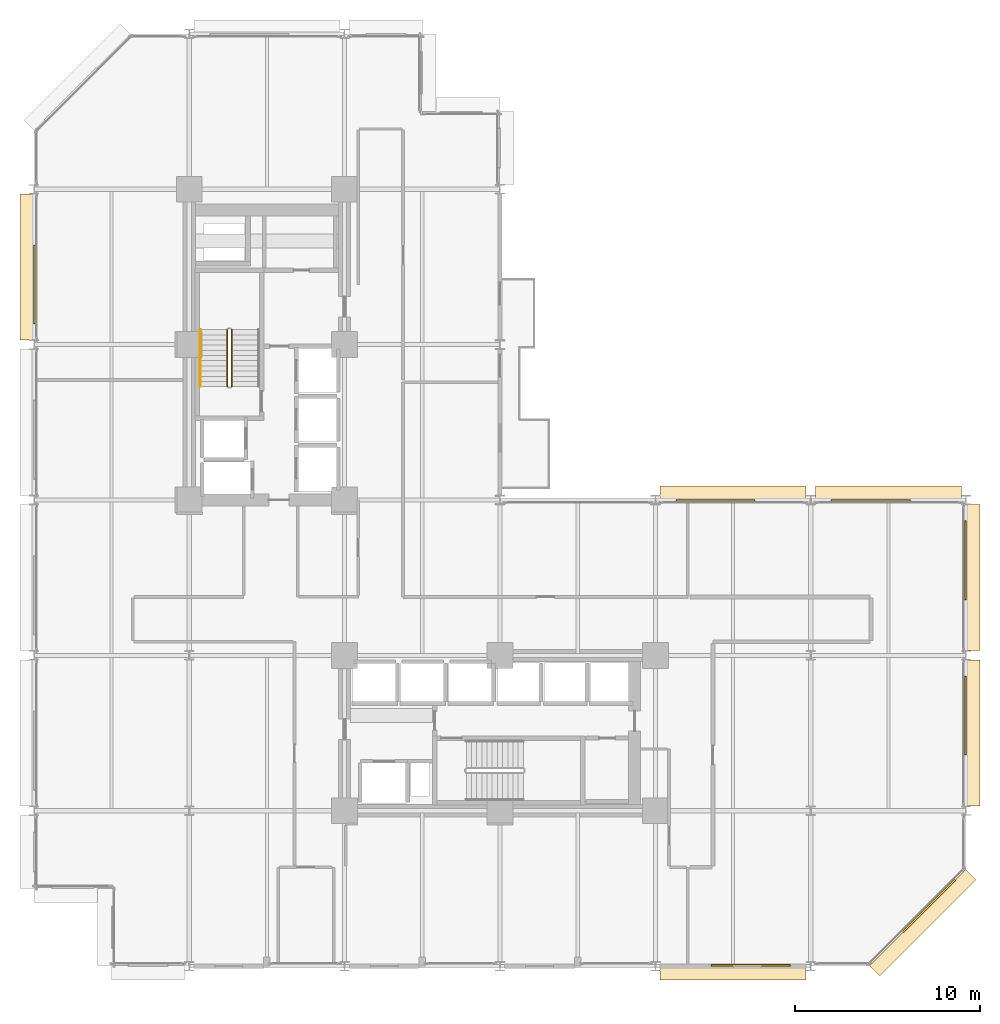
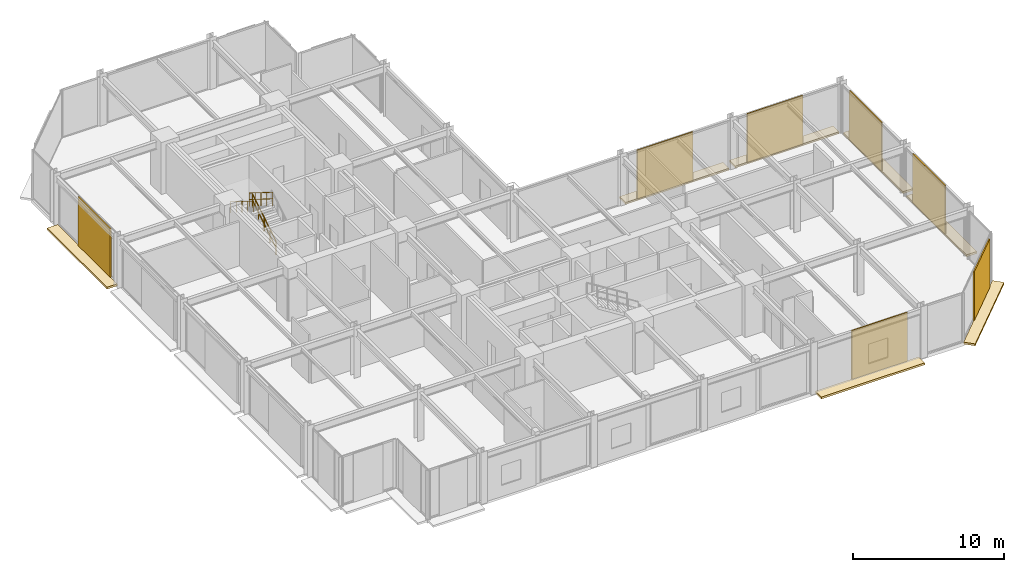
# One storey, part 24 of 25: 14 coverings, 3 railings.
"""IFC4 building model written with IfcOpenShell, lengths in metres."""

from ifc_helpers import new_model, si_unit, direction, frame, origin, origin_2d, place, context, subcontext, project, spatial, polyline, rectangle, circle, outline, extrude, material, layer, layer_set, type_object, element, save


model = new_model("IFC4")

# Units and contexts
model_context = context("Model", 3, precision=1e-05, world=origin(), true_north=direction((0.0, 1.0)))
body_context = subcontext(model_context, "Body", "Model", "MODEL_VIEW")
ifc_project = project(units=[si_unit("LENGTHUNIT", "METRE"), si_unit("AREAUNIT", "SQUARE_METRE"), si_unit("VOLUMEUNIT", "CUBIC_METRE"), si_unit("PLANEANGLEUNIT", "RADIAN"), si_unit("MASSUNIT", "GRAM", prefix="KILO")], contexts=[model_context])

# Site, building, storey
site_placement = place(None, origin())
site = spatial("IfcSite", under=ifc_project, at=site_placement, CompositionType="ELEMENT")
building_placement = place(site_placement, origin())
building = spatial("IfcBuilding", under=site, at=building_placement, Name="Nerrivon Quay Data Exchange", CompositionType="ELEMENT")
storey_placement = place(building_placement, frame((0.0, 0.0, 29.0)))
storey = spatial("IfcBuildingStorey", under=building, at=storey_placement, Name="L06", CompositionType="ELEMENT", Elevation=29.0)

# Coverings
ifc_material_1 = material(Name="Architectural terracotta ceramic", Category="masonry")
ifc_layer_1 = layer(ifc_material_1, 0.159912109375)
ifc_layer_set_1 = layer_set([ifc_layer_1], Name="Architectural terracotta ceramic")
covering_type_1 = type_object("IfcCoveringType", Name="COV-BLD-TERR", PredefinedType="CLADDING", material=ifc_layer_set_1)
covering_1_placement = place(storey_placement, frame((0.0, 0.0, -0.159912109375)))
element("IfcCovering", 1, at=covering_1_placement, inside=storey, type_object=covering_type_1, Name="L06 Horizontal Terracotta SOLAR SCREEN Blade", PredefinedType="CLADDING", context=body_context, shape_type="SweptSolid", body=[
    extrude(outline(polyline([(50.37158203125, 5.228271484375), (45.171630859375, 0.0283203125), (45.730224609375, -0.5302734375), (50.930419921875, 4.669677734375), (50.37158203125, 5.228271484375)])), origin(), (0.0, 0.0, 1.0), 0.159912109375),
])
covering_2_placement = place(storey_placement, frame((0.0, 0.0, -0.159912109375)))
element("IfcCovering", 2, at=covering_2_placement, inside=storey, type_object=covering_type_1, Name="L06 Horizontal Terracotta SOLAR SCREEN Blade", PredefinedType="CLADDING", context=body_context, shape_type="SweptSolid", body=[
    extrude(outline(polyline([(41.75, 0.0400390625), (33.85009765625, 0.0400390625), (33.85009765625, -0.75), (41.75, -0.75), (41.75, 0.0400390625)])), origin(), (0.0, 0.0, 1.0), 0.159912109375),
])
covering_3_placement = place(storey_placement, frame((0.0, 0.0, -0.159912109375)))
element("IfcCovering", 3, at=covering_3_placement, inside=storey, type_object=covering_type_1, Name="L06 Horizontal Terracotta SOLAR SCREEN Blade", PredefinedType="CLADDING", context=body_context, shape_type="SweptSolid", body=[
    extrude(outline(polyline([(0.0400390625, 33.85009765625), (0.0400390625, 41.75), (-0.75, 41.75), (-0.75, 33.85009765625), (0.0400390625, 33.85009765625)])), origin(), (0.0, 0.0, 1.0), 0.159912109375),
])
covering_4_placement = place(storey_placement, frame((0.0, 0.0, -0.159912109375)))
element("IfcCovering", 4, at=covering_4_placement, inside=storey, type_object=covering_type_1, Name="L06 Horizontal Terracotta SOLAR SCREEN Blade", PredefinedType="CLADDING", context=body_context, shape_type="SweptSolid", body=[
    extrude(outline(polyline([(33.85009765625, 25.159912109375), (41.75, 25.159912109375), (41.75, 25.949951171875), (33.85009765625, 25.949951171875), (33.85009765625, 25.159912109375)])), origin(), (0.0, 0.0, 1.0), 0.159912109375),
])
covering_5_placement = place(storey_placement, frame((0.0, 0.0, -0.159912109375)))
element("IfcCovering", 5, at=covering_5_placement, inside=storey, type_object=covering_type_1, Name="L06 Horizontal Terracotta SOLAR SCREEN Blade", PredefinedType="CLADDING", context=body_context, shape_type="SweptSolid", body=[
    extrude(outline(polyline([(42.25, 25.159912109375), (50.14990234375, 25.159912109375), (50.14990234375, 25.949951171875), (42.25, 25.949951171875), (42.25, 25.159912109375)])), origin(), (0.0, 0.0, 1.0), 0.159912109375),
])
covering_6_placement = place(storey_placement, frame((0.0, 0.0, -0.159912109375)))
element("IfcCovering", 6, at=covering_6_placement, inside=storey, type_object=covering_type_1, Name="L06 Horizontal Terracotta SOLAR SCREEN Blade", PredefinedType="CLADDING", context=body_context, shape_type="SweptSolid", body=[
    extrude(outline(polyline([(50.360107421875, 24.949951171875), (50.360107421875, 17.050048828125), (51.14990234375, 17.050048828125), (51.14990234375, 24.949951171875), (50.360107421875, 24.949951171875)])), origin(), (0.0, 0.0, 1.0), 0.159912109375),
])
covering_7_placement = place(storey_placement, frame((0.0, 0.0, -0.159912109375)))
element("IfcCovering", 7, at=covering_7_placement, inside=storey, type_object=covering_type_1, Name="L06 Horizontal Terracotta SOLAR SCREEN Blade", PredefinedType="CLADDING", context=body_context, shape_type="SweptSolid", body=[
    extrude(outline(polyline([(50.360107421875, 16.550048828125), (50.360107421875, 8.64990234375), (51.14990234375, 8.64990234375), (51.14990234375, 16.550048828125), (50.360107421875, 16.550048828125)])), origin(), (0.0, 0.0, 1.0), 0.159912109375),
])
ifc_layer_2 = layer(ifc_material_1, 0.090087890625)
ifc_layer_set_2 = layer_set([ifc_layer_2], Name="Architectural terracotta ceramic")
covering_type_2 = type_object("IfcCoveringType", Name="COV-SCR-TERR", PredefinedType="CLADDING", material=ifc_layer_set_2)
covering_8_placement = place(storey_placement, frame((48.39208984375, 3.255859375, 0.0), z_axis=(0.0, 0.0, 1.0), x_axis=(-0.707106781187, -0.707106781187, 0.0)))
element("IfcCovering", 8, at=covering_8_placement, inside=storey, type_object=covering_type_2, Name="L06 Perforated Terracotta SOLAR SCREEN Cassette", PredefinedType="CLADDING", context=body_context, shape_type="SweptSolid", body=[
    extrude(rectangle(XDim=3.970947265625, YDim=0.090087890625, at=origin_2d()), origin(), (0.0, 0.0, 1.0), 3.925048828125),
])
for number, where, z_axis, x_axis, name in (
    (9, (38.748046875, 0.044921875, 0.0), (0.0, 0.0, 1.0), (-1.0, 0.0, 0.0), "L06 Perforated Terracotta SOLAR SCREEN Cassette"),
    (10, (0.044921875, 36.85205078125, 0.0), (0.0, 0.0, 1.0), (0.0, 1.0, 0.0), "L06 Perforated Terracotta SOLAR SCREEN Cassette"),
    (11, (36.85205078125, 25.155029296875, 0.0), (0.0, 0.0, 1.0), (1.0, 0.0, 0.0), "L06 Perforated Terracotta SOLAR SCREEN Cassette"),
    (12, (45.251953125, 25.155029296875, 0.0), (0.0, 0.0, 1.0), (1.0, 0.0, 0.0), "L06 Perforated Terracotta SOLAR SCREEN Cassette"),
    (13, (50.35498046875, 21.947998046875, 0.0), (0.0, 0.0, 1.0), (0.0, -1.0, 0.0), "L06 Perforated Terracotta SOLAR SCREEN Cassette"),
    (14, (50.35498046875, 13.548095703125, 0.0), (0.0, 0.0, 1.0), (0.0, -1.0, 0.0), "L06 Perforated Terracotta SOLAR SCREEN Cassette"),
):
    element("IfcCovering", number, at=place(storey_placement, frame(where, z_axis=z_axis, x_axis=x_axis)), inside=storey, type_object=covering_type_2, Name=name, PredefinedType="CLADDING", context=body_context, shape_type="SweptSolid", body=[
        extrude(rectangle(XDim=4.26611328125, YDim=0.090087890625, at=origin_2d()), origin(), (0.0, 0.0, 1.0), 3.925048828125),
    ])

# Railings
ifc_material_2 = material(Name="Steel Grade C350L0 (350 MPa)", Category="steel")
railing_type_1 = type_object("IfcRailingType", Name="RAIL-HAND-HR1", PredefinedType="HANDRAIL", material=ifc_material_2)
railing_1_placement = place(storey_placement, frame((9.0, 34.409912109375, 2.27490234375)))
element("IfcRailing", 15, at=railing_1_placement, inside=storey, type_object=railing_type_1, Name="L06 ST01 stair handrail 2", PredefinedType="HANDRAIL", context=body_context, shape_type="SweptSolid", body=[
    extrude(circle(Radius=0.02392578125, at=origin_2d()), frame((0.0, 0.0, 0.8759765625), z_axis=(0.0, -0.847979421464, 0.530029150871), x_axis=(1.0, 0.0, 0.0)), (0.0, 0.0, 1.0), 3.632080078125),
    extrude(circle(Radius=0.02099609375, at=origin_2d()), origin(), (0.0, 0.0, 1.0), 0.851806640625),
    extrude(circle(Radius=0.02099609375, at=origin_2d()), frame((0.0, -0.77001953125, 0.481201171875)), (0.0, 0.0, 1.0), 0.851806640625),
    extrude(circle(Radius=0.02099609375, at=origin_2d()), frame((0.0, -1.5400390625, 0.96240234375)), (0.0, 0.0, 1.0), 0.851806640625),
    extrude(circle(Radius=0.02099609375, at=origin_2d()), frame((0.0, -2.309814453125, 1.44384765625)), (0.0, 0.0, 1.0), 0.851806640625),
    extrude(circle(Radius=0.02099609375, at=origin_2d()), frame((0.0, -3.079833984375, 1.925048828125)), (0.0, 0.0, 1.0), 0.851806640625),
])
railing_type_2 = type_object("IfcRailingType", Name="RAIL-STAIR-GR1", PredefinedType="BALUSTRADE", material=ifc_material_2)
railing_2_placement = place(storey_placement, frame((10.699951171875, 31.330078125, 0.175048828125)))
element("IfcRailing", 16, at=railing_2_placement, inside=storey, type_object=railing_type_2, Name="L06 ST01 stair guard 1", PredefinedType="BALUSTRADE", context=body_context, shape_type="SweptSolid", body=[
    extrude(circle(Radius=0.02392578125, at=origin_2d()), frame((0.0, 0.0, 1.076171875), z_axis=(0.0, 0.847979421464, 0.530029150871), x_axis=(-1.0, 0.0, 0.0)), (0.0, 0.0, 1.0), 3.632080078125),
    extrude(circle(Radius=0.02392578125, at=origin_2d()), frame((0.0, 0.0, 0.550048828125), z_axis=(0.0, 0.847979421464, 0.530029150871), x_axis=(-1.0, 0.0, 0.0)), (0.0, 0.0, 1.0), 3.632080078125),
    extrude(circle(Radius=0.02099609375, at=origin_2d()), origin(), (0.0, 0.0, 1.0), 1.052001953125),
    extrude(circle(Radius=0.02099609375, at=origin_2d()), frame((0.0, 0.77001953125, 0.481201171875)), (0.0, 0.0, 1.0), 1.052001953125),
    extrude(circle(Radius=0.02099609375, at=origin_2d()), frame((0.0, 1.5400390625, 0.96240234375)), (0.0, 0.0, 1.0), 1.052001953125),
    extrude(circle(Radius=0.02099609375, at=origin_2d()), frame((0.0, 2.309814453125, 1.44384765625)), (0.0, 0.0, 1.0), 1.052001953125),
    extrude(circle(Radius=0.02099609375, at=origin_2d()), frame((0.0, 3.079833984375, 1.925048828125)), (0.0, 0.0, 1.0), 1.052001953125),
])
railing_3_placement = place(storey_placement, frame((10.449951171875, 34.409912109375, 2.27490234375)))
element("IfcRailing", 17, at=railing_3_placement, inside=storey, type_object=railing_type_2, Name="L06 ST01 stair guard 3", PredefinedType="BALUSTRADE", context=body_context, shape_type="SweptSolid", body=[
    extrude(circle(Radius=0.02392578125, at=origin_2d()), frame((0.0, 0.0, 1.076171875), z_axis=(0.0, -0.847979421464, 0.530029150871), x_axis=(1.0, 0.0, 0.0)), (0.0, 0.0, 1.0), 3.632080078125),
    extrude(circle(Radius=0.02392578125, at=origin_2d()), frame((0.0, 0.0, 0.550048828125), z_axis=(0.0, -0.847979421464, 0.530029150871), x_axis=(1.0, 0.0, 0.0)), (0.0, 0.0, 1.0), 3.632080078125),
    extrude(circle(Radius=0.02099609375, at=origin_2d()), origin(), (0.0, 0.0, 1.0), 1.052001953125),
    extrude(circle(Radius=0.02099609375, at=origin_2d()), frame((0.0, -0.77001953125, 0.481201171875)), (0.0, 0.0, 1.0), 1.052001953125),
    extrude(circle(Radius=0.02099609375, at=origin_2d()), frame((0.0, -1.5400390625, 0.96240234375)), (0.0, 0.0, 1.0), 1.052001953125),
    extrude(circle(Radius=0.02099609375, at=origin_2d()), frame((0.0, -2.309814453125, 1.44384765625)), (0.0, 0.0, 1.0), 1.052001953125),
    extrude(circle(Radius=0.02099609375, at=origin_2d()), frame((0.0, -3.079833984375, 1.925048828125)), (0.0, 0.0, 1.0), 1.052001953125),
])

save(model, "model.ifc")
